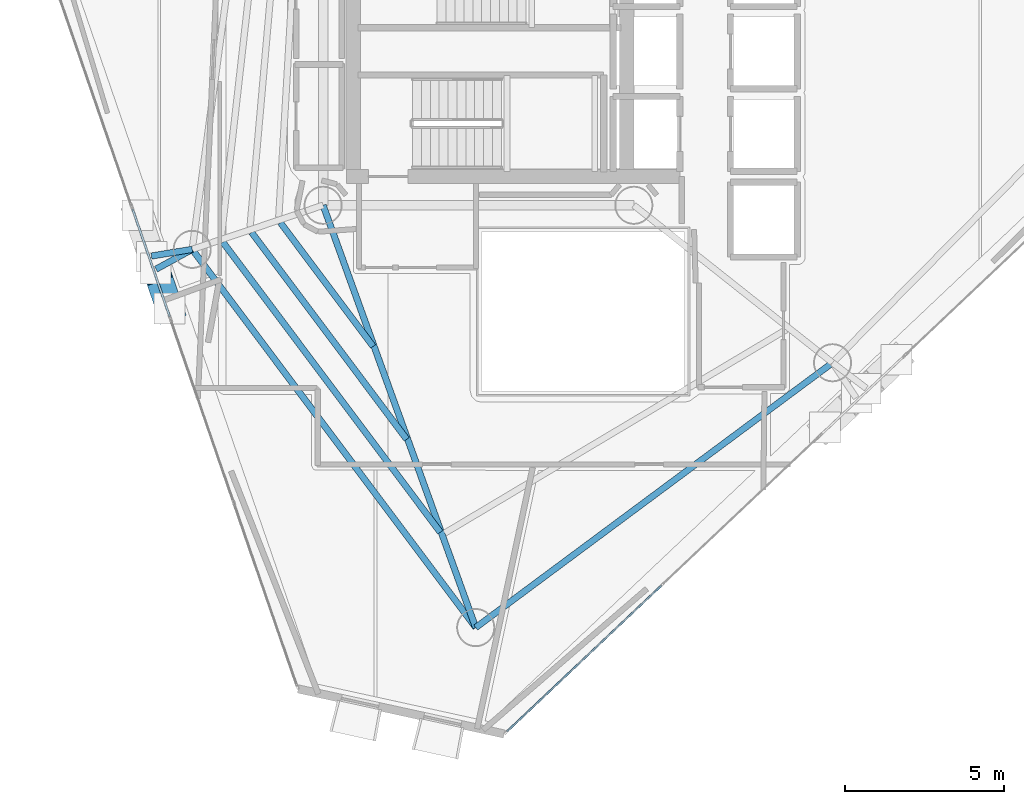
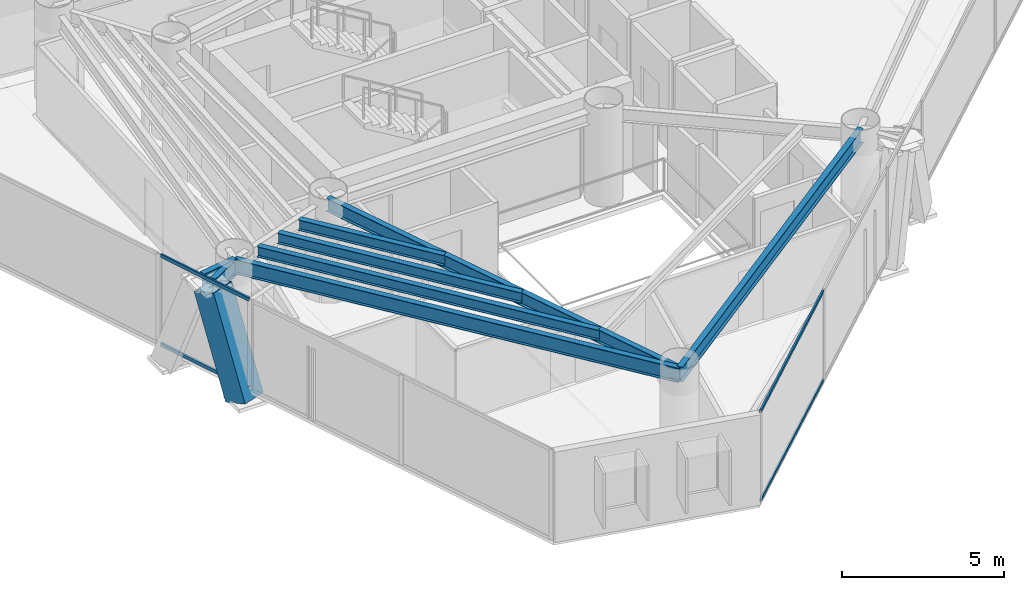
# One storey, part 3 of 20: 8 beams, 5 members, 2 elements without a shape of their own.
"""IFC4 building model written with IfcOpenShell, lengths in metres."""

from ifc_helpers import new_model, si_unit, direction, frame, origin, origin_2d, place, context, subcontext, project, spatial, hollow_rectangle, i_section, extrude, material, layer, layer_set, material_profile, profile_set, type_object, element, aggregate, save


model = new_model("IFC4")

# Units and contexts
model_context = context("Model", 3, precision=1e-05, world=origin(), true_north=direction((0.0, 1.0)))
body_context = subcontext(model_context, "Body", "Model", "MODEL_VIEW")
ifc_project = project(units=[si_unit("LENGTHUNIT", "METRE"), si_unit("AREAUNIT", "SQUARE_METRE"), si_unit("VOLUMEUNIT", "CUBIC_METRE"), si_unit("PLANEANGLEUNIT", "RADIAN"), si_unit("MASSUNIT", "GRAM", prefix="KILO")], contexts=[model_context])

# Site, building, storey
site_placement = place(None, origin())
site = spatial("IfcSite", under=ifc_project, at=site_placement, CompositionType="ELEMENT")
building_placement = place(site_placement, origin())
building = spatial("IfcBuilding", under=site, at=building_placement, Name="Qianvela Tower", CompositionType="ELEMENT")
storey_placement = place(building_placement, frame((0.0, 0.0, 226.199951171875)))
storey = spatial("IfcBuildingStorey", under=building, at=storey_placement, Name="L58", CompositionType="ELEMENT", Elevation=226.199951171875)

# Beams
ifc_material_1 = material(Name="Steel Q355B", Category="steel")
ifc_material_profile_1 = material_profile(ifc_material_1, i_section(OverallWidth=0.199951171875, OverallDepth=0.39990234375, WebThickness=0.008056640625, FlangeThickness=0.012939453125, at=origin_2d()), Name="HN400x200x8x13")
ifc_profile_set_1 = profile_set([ifc_material_profile_1], Name="Steel Q355B")
beam_type_1 = type_object("IfcBeamType", Name="BM-HN400-JOIST", PredefinedType="JOIST", material=ifc_profile_set_1)
beam_1_placement = place(storey_placement, frame((27.254150390625, 23.300537109375, 3.197998046875), z_axis=(0.599735620965, -0.800198216035, 0.0), x_axis=(0.800198216035, 0.599735620965, 0.0)))
element("IfcBeam", 1, at=beam_1_placement, inside=storey, type_object=beam_type_1, Name="L58 Secondary Composite Floor Joist 4.1", PredefinedType="JOIST", context=body_context, shape_type="SweptSolid", body=[
    extrude(i_section(OverallWidth=0.199951171875, OverallDepth=0.39990234375, WebThickness=0.008056640625, FlangeThickness=0.012939453125, at=origin_2d()), origin(), (0.0, 0.0, 1.0), 4.87646484375),
])
beam_2_placement = place(storey_placement, frame((26.345947265625, 22.994873046875, 3.197998046875), z_axis=(0.59975572356, -0.800183149071, 0.0), x_axis=(0.800183149071, 0.59975572356, 0.0)))
element("IfcBeam", 2, at=beam_2_placement, inside=storey, type_object=beam_type_1, Name="L58 Secondary Composite Floor Joist 4.2", PredefinedType="JOIST", context=body_context, shape_type="SweptSolid", body=[
    extrude(i_section(OverallWidth=0.199951171875, OverallDepth=0.39990234375, WebThickness=0.008056640625, FlangeThickness=0.012939453125, at=origin_2d()), origin(), (0.0, 0.0, 1.0), 8.156494140625),
])
beam_3_placement = place(storey_placement, frame((25.437744140625, 22.68896484375, 3.197998046875), z_axis=(0.599760871552, -0.800179290507, 0.0), x_axis=(0.800179290507, 0.599760871552, 0.0)))
element("IfcBeam", 3, at=beam_3_placement, inside=storey, type_object=beam_type_1, Name="L58 Secondary Composite Floor Joist 4.3", PredefinedType="JOIST", context=body_context, shape_type="SweptSolid", body=[
    extrude(i_section(OverallWidth=0.199951171875, OverallDepth=0.39990234375, WebThickness=0.008056640625, FlangeThickness=0.012939453125, at=origin_2d()), origin(), (0.0, 0.0, 1.0), 11.43603515625),
])
ifc_material_2 = material(Name="Steel Q355B", Category="steel")
ifc_material_profile_2 = material_profile(ifc_material_2, i_section(OverallWidth=0.199951171875, OverallDepth=0.5, WebThickness=0.010009765625, FlangeThickness=0.01611328125, at=origin_2d()), Name="HN500x200x10x16")
ifc_profile_set_2 = profile_set([ifc_material_profile_2], Name="Steel Q355B")
beam_type_2 = type_object("IfcBeamType", Name="BM-HN500-GIRD", PredefinedType="BEAM", material=ifc_profile_set_2)
beam_4_placement = place(storey_placement, frame((28.60009765625, 23.85009765625, 3.14794921875), z_axis=(0.339851607149, -0.940479072132, 0.0), x_axis=(0.940479072132, 0.339851607149, 0.0)))
element("IfcBeam", 4, at=beam_4_placement, inside=storey, type_object=beam_type_2, Name="L58 Radial Primary Floor Girder 5", PredefinedType="BEAM", context=body_context, shape_type="SweptSolid", body=[
    extrude(i_section(OverallWidth=0.199951171875, OverallDepth=0.5, WebThickness=0.010009765625, FlangeThickness=0.01611328125, at=origin_2d()), origin(), (0.0, 0.0, 1.0), 14.162109375),
])
ifc_material_3 = material(Name="Steel Q355B", Category="steel")
ifc_material_profile_3 = material_profile(ifc_material_3, i_section(OverallWidth=0.199951171875, OverallDepth=0.550048828125, WebThickness=0.010009765625, FlangeThickness=0.01611328125, at=origin_2d()), Name="HN550x200x10x16")
ifc_profile_set_3 = profile_set([ifc_material_profile_3], Name="Steel Q355B")
beam_type_3 = type_object("IfcBeamType", Name="BM-HN550-GIRD", PredefinedType="BEAM", material=ifc_profile_set_3)
beam_5_placement = place(storey_placement, frame((24.471923828125, 22.4599609375, 3.123046875), z_axis=(0.599761529533, -0.800178797327, 0.0), x_axis=(0.800178797327, 0.599761529533, 0.0)))
element("IfcBeam", 5, at=beam_5_placement, inside=storey, type_object=beam_type_3, Name="L58 Perimeter Ring Spandrel Girder 4", PredefinedType="BEAM", context=body_context, shape_type="SweptSolid", body=[
    extrude(i_section(OverallWidth=0.199951171875, OverallDepth=0.550048828125, WebThickness=0.010009765625, FlangeThickness=0.01611328125, at=origin_2d()), origin(), (0.0, 0.0, 1.0), 14.907958984375),
])
beam_6_placement = place(storey_placement, frame((33.4130859375, 10.531005859375, 3.123046875), z_axis=(0.803016810701, 0.595956375696, 0.0), x_axis=(-0.595956375696, 0.803016810701, 0.0)))
element("IfcBeam", 6, at=beam_6_placement, inside=storey, type_object=beam_type_3, Name="L58 Perimeter Ring Spandrel Girder 5", PredefinedType="BEAM", context=body_context, shape_type="SweptSolid", body=[
    extrude(i_section(OverallWidth=0.199951171875, OverallDepth=0.550048828125, WebThickness=0.010009765625, FlangeThickness=0.01611328125, at=origin_2d()), origin(), (0.0, 0.0, 1.0), 14.0146484375),
])
ifc_material_4 = material(Name="Steel Q355B", Category="steel")
ifc_material_profile_4 = material_profile(ifc_material_4, i_section(OverallWidth=0.199951171875, OverallDepth=0.60009765625, WebThickness=0.010986328125, FlangeThickness=0.01708984375, at=origin_2d()), Name="HN600x200x11x17")
ifc_profile_set_4 = profile_set([ifc_material_profile_4], Name="Steel Q355B")
beam_type_4 = type_object("IfcBeamType", Name="BM-HN600-GIRD", PredefinedType="BEAM", material=ifc_profile_set_4)
for number, where, z_axis, x_axis, name in (
    (7, (24.471923828125, 22.4599609375, 3.09814453125), (-0.986826193196, -0.161784005458, 0.0), (0.161784005458, -0.986826193196, 0.0), "L58 Mega-Brace Column Tie Bracket F2-1"),
    (8, (24.471923828125, 22.4599609375, 3.09814453125), (-0.876595607786, -0.481227742769, 0.0), (0.481227742769, -0.876595607786, 0.0), "L58 Mega-Brace Column Tie Bracket F2-2"),
):
    element("IfcBeam", number, at=place(storey_placement, frame(where, z_axis=z_axis, x_axis=x_axis)), inside=storey, type_object=beam_type_4, Name=name, PredefinedType="BEAM", context=body_context, shape_type="SweptSolid", body=[
        extrude(i_section(OverallWidth=0.199951171875, OverallDepth=0.60009765625, WebThickness=0.010986328125, FlangeThickness=0.01708984375, at=origin_2d()), origin(), (0.0, 0.0, 1.0), 1.30224609375),
    ])

# Curtain wall, members
ifc_material_5 = material(Name="Anodised Architectural Aluminium and Insulated Spandrel Panel", Category="aluminium")
ifc_layer_1 = layer(ifc_material_5, 0.179931640625)
ifc_layer_set_1 = layer_set([ifc_layer_1], Name="Anodised Architectural Aluminium and Insulated Spandrel Panel")
curtain_wall_type_1 = type_object("IfcCurtainWallType", Name="CW-BRACEBAY", PredefinedType="USERDEFINED", material=ifc_layer_set_1)
curtain_wall_1_placement = place(storey_placement, origin())
curtain_wall_1 = element("IfcCurtainWall", 9, at=curtain_wall_1_placement, inside=storey, type_object=curtain_wall_type_1, Name="L58 CW-BRACEBAY Curtain Wall 04B", ObjectType="CURTAIN_WALL_SYSTEM", PredefinedType="USERDEFINED")
ifc_material_6 = material(Name="Anodised Architectural Aluminium 6063-T6", Category="aluminium")
ifc_material_profile_5 = material_profile(ifc_material_6, hollow_rectangle(XDim=0.06494140625, YDim=0.1298828125, WallThickness=0.00439453125, at=origin_2d()), Name="ALU-TRAN-65x130")
ifc_profile_set_5 = profile_set([ifc_material_profile_5], Name="Anodised Architectural Aluminium 6063-T6")
member_type_1 = type_object("IfcMemberType", Name="CW-BRACEBAY-TRAN", PredefinedType="USERDEFINED", material=ifc_profile_set_5)
member_1_placement = place(storey_placement, frame((22.5908203125, 23.730712890625, 0.032470703125), z_axis=(0.3262882706, -0.94527031291, 0.0), x_axis=(0.94527031291, 0.3262882706, 0.0)))
member_1 = element("IfcMember", 10, at=member_1_placement, type_object=member_type_1, Name="CW-9 transom 1.1", ObjectType="TRANSOM", PredefinedType="USERDEFINED", context=body_context, shape_type="SweptSolid", body=[
    extrude(hollow_rectangle(XDim=0.06494140625, YDim=0.1298828125, WallThickness=0.00439453125, at=origin_2d()), origin(), (0.0, 0.0, 1.0), 3.590087890625),
])
member_2_placement = place(storey_placement, frame((22.5908203125, 23.730712890625, 3.367431640625), z_axis=(0.3262882706, -0.94527031291, 0.0), x_axis=(0.94527031291, 0.3262882706, 0.0)))
member_2 = element("IfcMember", 11, at=member_2_placement, type_object=member_type_1, Name="CW-9 transom 1.2", ObjectType="TRANSOM", PredefinedType="USERDEFINED", context=body_context, shape_type="SweptSolid", body=[
    extrude(hollow_rectangle(XDim=0.06494140625, YDim=0.1298828125, WallThickness=0.00439453125, at=origin_2d()), origin(), (0.0, 0.0, 1.0), 3.590087890625),
])
aggregate(curtain_wall_1, [member_1, member_2])

ifc_material_7 = material(Name="Anodised Architectural Aluminium and Low-E Glass", Category="aluminium")
ifc_layer_2 = layer(ifc_material_7, 0.159912109375)
ifc_layer_set_2 = layer_set([ifc_layer_2], Name="Anodised Architectural Aluminium and Low-E Glass")
curtain_wall_type_2 = type_object("IfcCurtainWallType", Name="CW-COLIV-Z56", PredefinedType="USERDEFINED", material=ifc_layer_set_2)
curtain_wall_2_placement = place(storey_placement, origin())
curtain_wall_2 = element("IfcCurtainWall", 12, at=curtain_wall_2_placement, inside=storey, type_object=curtain_wall_type_2, Name="L58 CW-COLIV-Z56 Curtain Wall 06A", ObjectType="CURTAIN_WALL_SYSTEM", PredefinedType="USERDEFINED")
ifc_material_8 = material(Name="Anodised Architectural Aluminium 6063-T6", Category="aluminium")
ifc_material_profile_6 = material_profile(ifc_material_8, hollow_rectangle(XDim=0.06005859375, YDim=0.114990234375, WallThickness=0.00390625, at=origin_2d()), Name="ALU-TRAN-60x115")
ifc_profile_set_6 = profile_set([ifc_material_profile_6], Name="Anodised Architectural Aluminium 6063-T6")
member_type_2 = type_object("IfcMemberType", Name="CW-COLIV-Z56-TRAN", PredefinedType="USERDEFINED", material=ifc_profile_set_6)
member_3_placement = place(storey_placement, frame((34.396728515625, 7.251220703125, 0.030029296875), z_axis=(0.726672385041, 0.686984166352, 0.0), x_axis=(-0.686984166352, 0.726672385041, 0.0)))
member_3 = element("IfcMember", 13, at=member_3_placement, type_object=member_type_2, Name="CW-5 transom 1.1", ObjectType="TRANSOM", PredefinedType="USERDEFINED", context=body_context, shape_type="SweptSolid", body=[
    extrude(hollow_rectangle(XDim=0.06005859375, YDim=0.114990234375, WallThickness=0.00390625, at=origin_2d()), origin(), (0.0, 0.0, 1.0), 6.71728515625),
])
member_4_placement = place(storey_placement, frame((34.396728515625, 7.251220703125, 3.3701171875), z_axis=(0.726672385041, 0.686984166352, 0.0), x_axis=(-0.686984166352, 0.726672385041, 0.0)))
member_4 = element("IfcMember", 14, at=member_4_placement, type_object=member_type_2, Name="CW-5 transom 1.2", ObjectType="TRANSOM", PredefinedType="USERDEFINED", context=body_context, shape_type="SweptSolid", body=[
    extrude(hollow_rectangle(XDim=0.06005859375, YDim=0.114990234375, WallThickness=0.00390625, at=origin_2d()), origin(), (0.0, 0.0, 1.0), 6.71728515625),
])
aggregate(curtain_wall_2, [member_3, member_4])

# Member
ifc_material_9 = material(Name="Steel Q420GJC", Category="steel")
ifc_material_profile_7 = material_profile(ifc_material_9, hollow_rectangle(XDim=0.85009765625, YDim=0.85009765625, WallThickness=0.031982421875, at=origin_2d()), Name="MBOX-850x850x32")
ifc_profile_set_7 = profile_set([ifc_material_profile_7], Name="Steel Q420GJC")
member_type_3 = type_object("IfcMemberType", Name="MBR-MBRACE-850", PredefinedType="BRACE", material=ifc_profile_set_7)
member_5_placement = place(storey_placement, frame((23.751220703125, 20.61376953125, -0.48193359375), z_axis=(-0.110604871153, 0.320459008939, 0.94078296438), x_axis=(-0.945280432557, -0.326258952098, 0.0)))
element("IfcMember", 15, at=member_5_placement, inside=storey, type_object=member_type_3, Name="L58 Tier 9 Exterior Mega-Brace F2B", PredefinedType="BRACE", context=body_context, shape_type="SweptSolid", body=[
    extrude(hollow_rectangle(XDim=0.85009765625, YDim=0.85009765625, WallThickness=0.031982421875, at=origin_2d()), origin(), (0.0, 0.0, 1.0), 3.805419921875),
])

save(model, "model.ifc")
